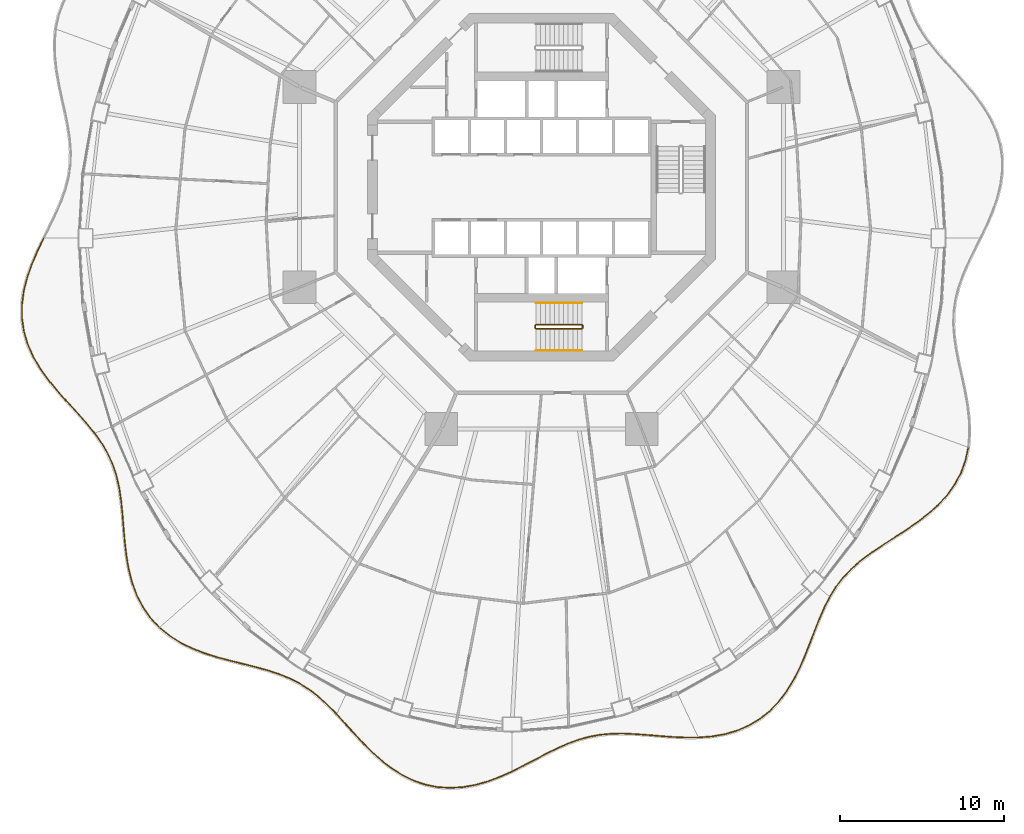
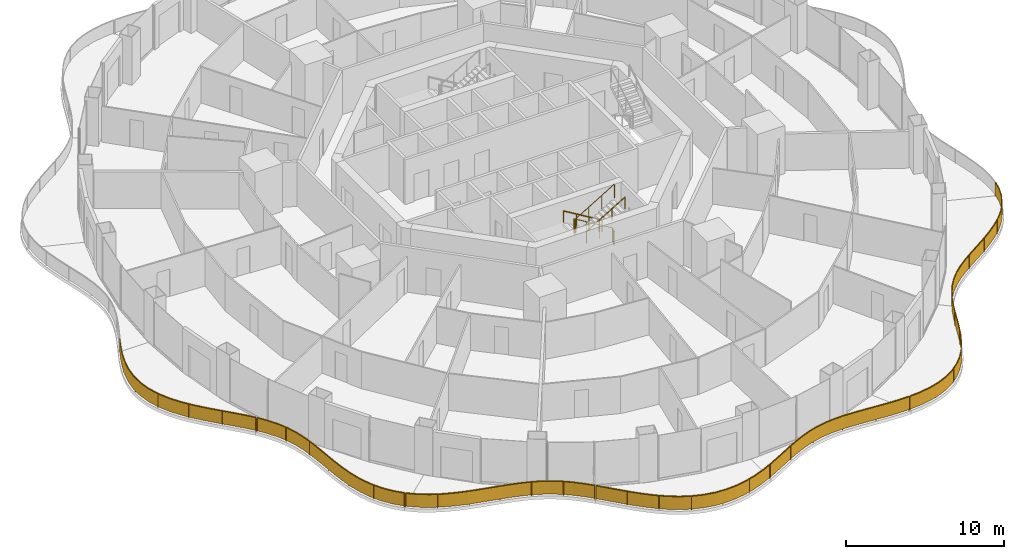
# One storey, part 18 of 20: 10 railings.
"""IFC4 building model written with IfcOpenShell, lengths in metres."""

from ifc_helpers import new_model, si_unit, direction, frame, origin, origin_2d, place, context, subcontext, project, spatial, polyline, rectangle, circle, outline, extrude, material, type_object, element, save


model = new_model("IFC4")

# Units and contexts
model_context = context("Model", 3, precision=1e-05, world=origin(), true_north=direction((0.0, 1.0)))
body_context = subcontext(model_context, "Body", "Model", "MODEL_VIEW")
ifc_project = project(units=[si_unit("LENGTHUNIT", "METRE"), si_unit("AREAUNIT", "SQUARE_METRE"), si_unit("VOLUMEUNIT", "CUBIC_METRE"), si_unit("PLANEANGLEUNIT", "RADIAN"), si_unit("MASSUNIT", "GRAM", prefix="KILO")], contexts=[model_context])

# Site, building, storey
site_placement = place(None, origin())
site = spatial("IfcSite", under=ifc_project, at=site_placement, CompositionType="ELEMENT")
building_placement = place(site_placement, origin())
building = spatial("IfcBuilding", under=site, at=building_placement, Name="Nagisa Residences", CompositionType="ELEMENT")
storey_placement = place(building_placement, frame((0.0, 0.0, 141.800048828125)))
storey = spatial("IfcBuildingStorey", under=building, at=storey_placement, Name="L35", CompositionType="ELEMENT", Elevation=141.800048828125)

# Railings
ifc_material_1 = material(Name="Stainless steel 316", Category="steel")
railing_type_1 = type_object("IfcRailingType", Name="BALCONY GUARD 1100", PredefinedType="BALUSTRADE", material=ifc_material_1)
railing_1_placement = place(storey_placement, frame((-30.425537109375, -3.15185546875, 0.0)))
element("IfcRailing", 1, at=railing_1_placement, inside=storey, type_object=railing_type_1, Name="guard:L35:bal08-0", PredefinedType="BALUSTRADE", context=body_context, shape_type="SweptSolid", body=[
    extrude(outline(polyline([(-0.33984375, -0.76171875), (0.0224609375, -0.010986328125), (-0.0224609375, 0.010986328125), (-0.38525390625, -0.74072265625), (-0.732666015625, -1.5498046875), (-1.021728515625, -2.3720703125), (-1.230224609375, -3.203125), (-1.33984375, -4.035888671875), (-1.33935546875, -4.849853515625), (-1.22021484375, -5.66455078125), (-0.985107421875, -6.459716796875), (-0.642333984375, -7.228759765625), (-0.2060546875, -7.968994140625), (0.30078125, -8.665283203125), (0.861328125, -9.346435546875), (1.447021484375, -10.00341796875), (2.03173828125, -10.642333984375), (2.592041015625, -11.27197265625), (3.080810546875, -11.868408203125), (3.119384765625, -11.836669921875), (2.630126953125, -11.2392578125), (2.06884765625, -10.608642578125), (1.484130859375, -9.9697265625), (0.8994140625, -9.313720703125), (0.34033203125, -8.634521484375), (-0.1640625, -7.941650390625), (-0.597900390625, -7.205810546875), (-0.938232421875, -6.442138671875), (-1.17138671875, -5.65380859375), (-1.28955078125, -4.846435546875), (-1.28955078125, -4.039306640625), (-1.180908203125, -3.21240234375), (-0.973876953125, -2.38671875), (-0.685791015625, -1.56787109375), (-0.33984375, -0.76171875)])), frame((0.0, 0.0, 1.050048828125)), (0.0, 0.0, 1.0), 0.050048828125),
    extrude(outline(polyline([(-0.356201171875, -0.754150390625), (0.00634765625, -0.0029296875), (-0.00634765625, 0.0029296875), (-0.368896484375, -0.748291015625), (-0.7158203125, -1.556396484375), (-1.00439453125, -2.37744140625), (-1.21240234375, -3.20654296875), (-1.32177734375, -4.037109375), (-1.321533203125, -4.8486328125), (-1.20263671875, -5.66064453125), (-0.96826171875, -6.453369140625), (-0.62646484375, -7.220458984375), (-0.19091796875, -7.959228515625), (0.31494140625, -8.654296875), (0.875, -9.334716796875), (1.46044921875, -9.9912109375), (2.045166015625, -10.630126953125), (2.605712890625, -11.26025390625), (3.0947265625, -11.85693359375), (3.10546875, -11.84814453125), (2.616455078125, -11.2509765625), (2.055419921875, -10.620849609375), (1.470703125, -9.98193359375), (0.8857421875, -9.325439453125), (0.326171875, -8.6455078125), (-0.17919921875, -7.951416015625), (-0.61376953125, -7.214111328125), (-0.955078125, -6.448486328125), (-1.18896484375, -5.65771484375), (-1.307373046875, -4.84765625), (-1.3076171875, -4.0380859375), (-1.19873046875, -3.208984375), (-0.9912109375, -2.38134765625), (-0.70263671875, -1.561279296875), (-0.356201171875, -0.754150390625)])), frame((0.0, 0.0, 0.06005859375)), (0.0, 0.0, 1.0), 0.989990234375),
    extrude(rectangle(XDim=0.0400390625, YDim=0.0400390625, at=origin_2d()), origin(), (0.0, 0.0, 1.0), 1.050048828125),
    extrude(rectangle(XDim=0.0400390625, YDim=0.0400390625, at=origin_2d()), frame((-0.888916015625, -2.069580078125, 0.0)), (0.0, 0.0, 1.0), 1.050048828125),
    extrude(rectangle(XDim=0.0400390625, YDim=0.0400390625, at=origin_2d()), frame((-1.314697265625, -4.2724609375, 0.0)), (0.0, 0.0, 1.0), 1.050048828125),
    extrude(rectangle(XDim=0.0400390625, YDim=0.0400390625, at=origin_2d()), frame((-0.947998046875, -6.4814453125, 0.0)), (0.0, 0.0, 1.0), 1.050048828125),
    extrude(rectangle(XDim=0.0400390625, YDim=0.0400390625, at=origin_2d()), frame((0.163330078125, -8.43408203125, 0.0)), (0.0, 0.0, 1.0), 1.050048828125),
    extrude(rectangle(XDim=0.0400390625, YDim=0.0400390625, at=origin_2d()), frame((1.61865234375, -10.154052734375, 0.0)), (0.0, 0.0, 1.0), 1.050048828125),
    extrude(rectangle(XDim=0.0400390625, YDim=0.0400390625, at=origin_2d()), frame((3.10009765625, -11.8525390625, 0.0)), (0.0, 0.0, 1.0), 1.050048828125),
])
railing_2_placement = place(storey_placement, frame((-27.27978515625, -15.060791015625, 0.0)))
element("IfcRailing", 2, at=railing_2_placement, inside=storey, type_object=railing_type_1, Name="guard:L35:bal09-0", PredefinedType="BALUSTRADE", context=body_context, shape_type="SweptSolid", body=[
    extrude(outline(polyline([(0.4375, -0.572998046875), (0.0205078125, 0.014404296875), (-0.0205078125, -0.014404296875), (0.3955078125, -0.600341796875), (0.76708984375, -1.23974609375), (1.066650390625, -1.90625), (1.296630859375, -2.605224609375), (1.46337890625, -3.3408203125), (1.572998046875, -4.099853515625), (1.6552734375, -4.905029296875), (1.72216796875, -5.7373046875), (1.794921875, -6.586669921875), (1.894775390625, -7.44091796875), (2.033203125, -8.27392578125), (2.244140625, -9.095947265625), (2.53271484375, -9.87890625), (2.908203125, -10.60986328125), (3.3740234375, -11.27685546875), (3.896484375, -11.835693359375), (3.93310546875, -11.801513671875), (3.4130859375, -11.2451171875), (2.951171875, -10.583984375), (2.57861328125, -9.85888671875), (2.2919921875, -9.080810546875), (2.08203125, -8.263671875), (1.944580078125, -7.43408203125), (1.8447265625, -6.581787109375), (1.77197265625, -5.7333984375), (1.705078125, -4.900634765625), (1.622802734375, -4.093505859375), (1.5126953125, -3.33154296875), (1.344970703125, -2.592041015625), (1.113525390625, -1.88818359375), (0.8115234375, -1.216796875), (0.4375, -0.572998046875)])), frame((0.0, 0.0, 1.050048828125)), (0.0, 0.0, 1.0), 0.050048828125),
    extrude(outline(polyline([(0.42236328125, -0.582763671875), (0.005615234375, 0.004150390625), (-0.005615234375, -0.004150390625), (0.41064453125, -0.590576171875), (0.782958984375, -1.2314453125), (1.08349609375, -1.899658203125), (1.31396484375, -2.6005859375), (1.481201171875, -3.33740234375), (1.591064453125, -4.09765625), (1.673095703125, -4.903564453125), (1.739990234375, -5.73583984375), (1.812744140625, -6.5849609375), (1.912841796875, -7.4384765625), (2.05078125, -8.270263671875), (2.261474609375, -9.090576171875), (2.54931640625, -9.871826171875), (2.923583984375, -10.6005859375), (3.38818359375, -11.265380859375), (3.90966796875, -11.823486328125), (3.919921875, -11.813720703125), (3.39892578125, -11.256591796875), (2.935791015625, -10.59326171875), (2.56201171875, -9.865966796875), (2.274658203125, -9.086181640625), (2.064453125, -8.267333984375), (1.926513671875, -7.4365234375), (1.826904296875, -6.58349609375), (1.754150390625, -5.73486328125), (1.687255859375, -4.902099609375), (1.604736328125, -4.095703125), (1.494873046875, -3.3349609375), (1.32763671875, -2.5966796875), (1.0966796875, -1.894775390625), (0.795654296875, -1.22509765625), (0.42236328125, -0.582763671875)])), frame((0.0, 0.0, 0.06005859375)), (0.0, 0.0, 1.0), 0.989990234375),
    extrude(rectangle(XDim=0.0400390625, YDim=0.0400390625, at=origin_2d()), origin(), (0.0, 0.0, 1.0), 1.050048828125),
    extrude(rectangle(XDim=0.0400390625, YDim=0.0400390625, at=origin_2d()), frame((1.059814453125, -1.829833984375, 0.0)), (0.0, 0.0, 1.0), 1.050048828125),
    extrude(rectangle(XDim=0.0400390625, YDim=0.0400390625, at=origin_2d()), frame((1.567138671875, -3.88330078125, 0.0)), (0.0, 0.0, 1.0), 1.050048828125),
    extrude(rectangle(XDim=0.0400390625, YDim=0.0400390625, at=origin_2d()), frame((1.769287109375, -5.994384765625, 0.0)), (0.0, 0.0, 1.0), 1.050048828125),
    extrude(rectangle(XDim=0.0400390625, YDim=0.0400390625, at=origin_2d()), frame((2.029296875, -8.0986328125, 0.0)), (0.0, 0.0, 1.0), 1.050048828125),
    extrude(rectangle(XDim=0.0400390625, YDim=0.0400390625, at=origin_2d()), frame((2.679443359375, -10.109619140625, 0.0)), (0.0, 0.0, 1.0), 1.050048828125),
    extrude(rectangle(XDim=0.0400390625, YDim=0.0400390625, at=origin_2d()), frame((3.914794921875, -11.818603515625, 0.0)), (0.0, 0.0, 1.0), 1.050048828125),
])
railing_3_placement = place(storey_placement, frame((-23.308349609375, -26.93212890625, 0.0)))
element("IfcRailing", 3, at=railing_3_placement, inside=storey, type_object=railing_type_1, Name="guard:L35:bal10-0", PredefinedType="BALUSTRADE", context=body_context, shape_type="SweptSolid", body=[
    extrude(outline(polyline([(0.582763671875, -0.442626953125), (0.015869140625, 0.019287109375), (-0.015869140625, -0.019287109375), (0.553466796875, -0.483154296875), (1.224853515625, -0.908203125), (1.94921875, -1.266845703125), (2.712890625, -1.56640625), (3.499755859375, -1.817138671875), (4.28271484375, -2.0224609375), (5.071044921875, -2.21826171875), (5.84033203125, -2.410400390625), (6.580322265625, -2.614990234375), (7.28466796875, -2.847412109375), (7.935302734375, -3.11083984375), (8.56103515625, -3.43408203125), (9.1513671875, -3.81396484375), (9.712646484375, -4.251953125), (10.253662109375, -4.74609375), (10.752197265625, -5.258056640625), (10.787841796875, -5.222900390625), (10.288330078125, -4.7099609375), (9.744873046875, -4.2138671875), (9.18017578125, -3.77294921875), (8.5859375, -3.390625), (7.956298828125, -3.0654296875), (7.3017578125, -2.800537109375), (6.594970703125, -2.567138671875), (5.85302734375, -2.362060546875), (5.083251953125, -2.169921875), (4.294921875, -1.97412109375), (3.513916015625, -1.769287109375), (2.7294921875, -1.51904296875), (1.9697265625, -1.220947265625), (1.249267578125, -0.86474609375), (0.582763671875, -0.442626953125)])), frame((0.0, 0.0, 1.050048828125)), (0.0, 0.0, 1.0), 0.050048828125),
    extrude(outline(polyline([(0.572265625, -0.457275390625), (0.00439453125, 0.00537109375), (-0.00439453125, -0.00537109375), (0.56396484375, -0.468505859375), (1.233642578125, -0.892578125), (1.95654296875, -1.250244140625), (2.71875, -1.54931640625), (3.5048828125, -1.800048828125), (4.287109375, -2.005126953125), (5.075439453125, -2.200927734375), (5.844970703125, -2.39306640625), (6.585693359375, -2.59765625), (7.290771484375, -2.83056640625), (7.94287109375, -3.094482421875), (8.570068359375, -3.41845703125), (9.16162109375, -3.799072265625), (9.72412109375, -4.23828125), (10.26611328125, -4.733154296875), (10.764892578125, -5.245361328125), (10.775146484375, -5.235595703125), (10.27587890625, -4.722900390625), (9.7333984375, -4.2275390625), (9.169921875, -3.787841796875), (8.576904296875, -3.40625), (7.94873046875, -3.081787109375), (7.295654296875, -2.8173828125), (6.589599609375, -2.58447265625), (5.848388671875, -2.37939453125), (5.078857421875, -2.187255859375), (4.29052734375, -1.991455078125), (3.5087890625, -1.786376953125), (2.7236328125, -1.5361328125), (1.96240234375, -1.237548828125), (1.240478515625, -0.88037109375), (0.572265625, -0.457275390625)])), frame((0.0, 0.0, 0.06005859375)), (0.0, 0.0, 1.0), 0.989990234375),
    extrude(rectangle(XDim=0.0400390625, YDim=0.0400390625, at=origin_2d()), origin(), (0.0, 0.0, 1.0), 1.050048828125),
    extrude(rectangle(XDim=0.0400390625, YDim=0.0400390625, at=origin_2d()), frame((1.689697265625, -1.1103515625, 0.0)), (0.0, 0.0, 1.0), 1.050048828125),
    extrude(rectangle(XDim=0.0400390625, YDim=0.0400390625, at=origin_2d()), frame((3.58984375, -1.81494140625, 0.0)), (0.0, 0.0, 1.0), 1.050048828125),
    extrude(rectangle(XDim=0.0400390625, YDim=0.0400390625, at=origin_2d()), frame((5.55712890625, -2.31396484375, 0.0)), (0.0, 0.0, 1.0), 1.050048828125),
    extrude(rectangle(XDim=0.0400390625, YDim=0.0400390625, at=origin_2d()), frame((7.49658203125, -2.90625, 0.0)), (0.0, 0.0, 1.0), 1.050048828125),
    extrude(rectangle(XDim=0.0400390625, YDim=0.0400390625, at=origin_2d()), frame((9.271484375, -3.8759765625, 0.0)), (0.0, 0.0, 1.0), 1.050048828125),
    extrude(rectangle(XDim=0.0400390625, YDim=0.0400390625, at=origin_2d()), frame((10.77001953125, -5.240478515625, 0.0)), (0.0, 0.0, 1.0), 1.050048828125),
])
railing_4_placement = place(storey_placement, frame((-12.489013671875, -32.22802734375, 0.0)))
element("IfcRailing", 4, at=railing_4_placement, inside=storey, type_object=railing_type_1, Name="guard:L35:bal11-0", PredefinedType="BALUSTRADE", context=body_context, shape_type="SweptSolid", body=[
    extrude(outline(polyline([(0.498779296875, -0.509765625), (0.0185546875, 0.016845703125), (-0.0185546875, -0.016845703125), (0.461669921875, -0.54345703125), (0.984130859375, -1.1220703125), (1.525146484375, -1.70458984375), (2.091796875, -2.273681640625), (2.689697265625, -2.810791015625), (3.304931640625, -3.29248046875), (3.9716796875, -3.712890625), (4.67138671875, -4.052734375), (5.3994140625, -4.301513671875), (6.15087890625, -4.45263671875), (6.90185546875, -4.501220703125), (7.6748046875, -4.45458984375), (8.449462890625, -4.318115234375), (9.217041015625, -4.1025390625), (9.971435546875, -3.822021484375), (10.66455078125, -3.510498046875), (10.64404296875, -3.465087890625), (9.952392578125, -3.775634765625), (9.201416015625, -4.0546875), (8.438232421875, -4.269287109375), (7.6689453125, -4.40478515625), (6.90185546875, -4.450927734375), (6.1572265625, -4.40283203125), (5.41259765625, -4.253173828125), (4.6904296875, -4.00634765625), (3.99609375, -3.6689453125), (3.333740234375, -3.25146484375), (2.721923828125, -2.772216796875), (2.12646484375, -2.237548828125), (1.561279296875, -1.669921875), (1.021240234375, -1.08837890625), (0.498779296875, -0.509765625)])), frame((0.0, 0.0, 1.050048828125)), (0.0, 0.0, 1.0), 0.050048828125),
    extrude(outline(polyline([(0.4853515625, -0.52197265625), (0.005126953125, 0.004638671875), (-0.005126953125, -0.004638671875), (0.47509765625, -0.53125), (0.99755859375, -1.10986328125), (1.5380859375, -1.692138671875), (2.104248046875, -2.2607421875), (2.701416015625, -2.796875), (3.315185546875, -3.277587890625), (3.98046875, -3.697021484375), (4.67822265625, -4.0361328125), (5.404296875, -4.2841796875), (6.153076171875, -4.4345703125), (6.90185546875, -4.483154296875), (7.672607421875, -4.436767578125), (8.4453125, -4.300537109375), (9.21142578125, -4.085205078125), (9.964599609375, -3.805419921875), (10.6572265625, -3.494140625), (10.6513671875, -3.4814453125), (9.959228515625, -3.792236328125), (9.20703125, -4.072021484375), (8.4423828125, -4.286865234375), (7.671142578125, -4.422607421875), (6.90185546875, -4.468994140625), (6.155029296875, -4.4208984375), (5.40771484375, -4.2705078125), (4.68359375, -4.02294921875), (3.9873046875, -3.684814453125), (3.323486328125, -3.266357421875), (2.710205078125, -2.7861328125), (2.114013671875, -2.25048828125), (1.54833984375, -1.682373046875), (1.0078125, -1.1005859375), (0.4853515625, -0.52197265625)])), frame((0.0, 0.0, 0.06005859375)), (0.0, 0.0, 1.0), 0.989990234375),
    extrude(rectangle(XDim=0.0400390625, YDim=0.0400390625, at=origin_2d()), origin(), (0.0, 0.0, 1.0), 1.050048828125),
    extrude(rectangle(XDim=0.0400390625, YDim=0.0400390625, at=origin_2d()), frame((1.39599609375, -1.52880859375, 0.0)), (0.0, 0.0, 1.0), 1.050048828125),
    extrude(rectangle(XDim=0.0400390625, YDim=0.0400390625, at=origin_2d()), frame((2.902587890625, -2.945556640625, 0.0)), (0.0, 0.0, 1.0), 1.050048828125),
    extrude(rectangle(XDim=0.0400390625, YDim=0.0400390625, at=origin_2d()), frame((4.6630859375, -4.02099609375, 0.0)), (0.0, 0.0, 1.0), 1.050048828125),
    extrude(rectangle(XDim=0.0400390625, YDim=0.0400390625, at=origin_2d()), frame((6.67431640625, -4.46142578125, 0.0)), (0.0, 0.0, 1.0), 1.050048828125),
    extrude(rectangle(XDim=0.0400390625, YDim=0.0400390625, at=origin_2d()), frame((8.719970703125, -4.216064453125, 0.0)), (0.0, 0.0, 1.0), 1.050048828125),
    extrude(rectangle(XDim=0.0400390625, YDim=0.0400390625, at=origin_2d()), frame((10.654296875, -3.48779296875, 0.0)), (0.0, 0.0, 1.0), 1.050048828125),
])
railing_5_placement = place(storey_placement, frame((-1.765869140625, -35.681640625, 0.0)))
element("IfcRailing", 5, at=railing_5_placement, inside=storey, type_object=railing_type_1, Name="guard:L35:bal12-0", PredefinedType="BALUSTRADE", context=body_context, shape_type="SweptSolid", body=[
    extrude(outline(polyline([(0.662109375, 0.35986328125), (-0.01123046875, 0.0224609375), (0.01123046875, -0.0224609375), (0.68505859375, 0.3154296875), (1.382568359375, 0.680908203125), (2.06201171875, 1.037353515625), (2.726806640625, 1.367431640625), (3.382568359375, 1.6572265625), (4.017578125, 1.8935546875), (4.673828125, 2.0751953125), (5.340576171875, 2.197021484375), (6.024169921875, 2.26171875), (6.728515625, 2.275390625), (7.439697265625, 2.243896484375), (8.19140625, 2.1904296875), (8.965087890625, 2.125732421875), (9.75537109375, 2.067138671875), (10.55615234375, 2.0322265625), (11.310791015625, 2.03515625), (11.310791015625, 2.0849609375), (10.55712890625, 2.08251953125), (9.75830078125, 2.116943359375), (8.968994140625, 2.175537109375), (8.1953125, 2.240234375), (7.442626953125, 2.293701171875), (6.72900390625, 2.32568359375), (6.021240234375, 2.3115234375), (5.333740234375, 2.246826171875), (4.66259765625, 2.1240234375), (4.001953125, 1.94140625), (3.363525390625, 1.70361328125), (2.705322265625, 1.412841796875), (2.0390625, 1.081787109375), (1.359130859375, 0.725341796875), (0.662109375, 0.35986328125)])), frame((0.0, 0.0, 1.050048828125)), (0.0, 0.0, 1.0), 0.050048828125),
    extrude(outline(polyline([(0.67041015625, 0.343994140625), (-0.003173828125, 0.00634765625), (0.003173828125, -0.00634765625), (0.6767578125, 0.331298828125), (1.3740234375, 0.697021484375), (2.0537109375, 1.05322265625), (2.718994140625, 1.3837890625), (3.375732421875, 1.673828125), (4.011962890625, 1.910888671875), (4.669677734375, 2.0927734375), (5.338134765625, 2.215087890625), (6.023193359375, 2.279541015625), (6.728759765625, 2.29345703125), (7.440673828125, 2.26171875), (8.19287109375, 2.208251953125), (8.966552734375, 2.1435546875), (9.75634765625, 2.0849609375), (10.556396484375, 2.05029296875), (11.310791015625, 2.052978515625), (11.310791015625, 2.067138671875), (10.556884765625, 2.064453125), (9.75732421875, 2.09912109375), (8.967529296875, 2.15771484375), (8.19384765625, 2.222412109375), (7.441650390625, 2.27587890625), (6.728759765625, 2.3076171875), (6.022216796875, 2.293701171875), (5.336181640625, 2.228759765625), (4.666748046875, 2.1064453125), (4.007568359375, 1.924072265625), (3.370361328125, 1.68701171875), (2.713134765625, 1.396484375), (2.04736328125, 1.06591796875), (1.36767578125, 0.709228515625), (0.67041015625, 0.343994140625)])), frame((0.0, 0.0, 0.06005859375)), (0.0, 0.0, 1.0), 0.989990234375),
    extrude(rectangle(XDim=0.0400390625, YDim=0.0400390625, at=origin_2d()), origin(), (0.0, 0.0, 1.0), 1.050048828125),
    extrude(rectangle(XDim=0.0400390625, YDim=0.0400390625, at=origin_2d()), frame((2.096435546875, 1.082275390625, 0.0)), (0.0, 0.0, 1.0), 1.050048828125),
    extrude(rectangle(XDim=0.0400390625, YDim=0.0400390625, at=origin_2d()), frame((4.27001953125, 1.989501953125, 0.0)), (0.0, 0.0, 1.0), 1.050048828125),
    extrude(rectangle(XDim=0.0400390625, YDim=0.0400390625, at=origin_2d()), frame((6.60009765625, 2.298095703125, 0.0)), (0.0, 0.0, 1.0), 1.050048828125),
    extrude(rectangle(XDim=0.0400390625, YDim=0.0400390625, at=origin_2d()), frame((8.954345703125, 2.151611328125, 0.0)), (0.0, 0.0, 1.0), 1.050048828125),
    extrude(rectangle(XDim=0.0400390625, YDim=0.0400390625, at=origin_2d()), frame((11.310791015625, 2.06005859375, 0.0)), (0.0, 0.0, 1.0), 1.050048828125),
])
railing_6_placement = place(storey_placement, frame((9.6220703125, -33.619384765625, 0.0)))
element("IfcRailing", 6, at=railing_6_placement, inside=storey, type_object=railing_type_1, Name="guard:L35:bal13-0", PredefinedType="BALUSTRADE", context=body_context, shape_type="SweptSolid", body=[
    extrude(outline(polyline([(0.772216796875, 0.08349609375), (-0.001953125, 0.02490234375), (0.001953125, -0.02490234375), (0.778564453125, 0.03369140625), (1.5810546875, 0.1728515625), (2.35107421875, 0.396484375), (3.076904296875, 0.710693359375), (3.74755859375, 1.114990234375), (4.3486328125, 1.600341796875), (4.89794921875, 2.174072265625), (5.3837890625, 2.81689453125), (5.81005859375, 3.51416015625), (6.18359375, 4.25), (6.5029296875, 4.996337890625), (6.80517578125, 5.7578125), (7.092529296875, 6.508544921875), (7.380615234375, 7.234375), (7.6845703125, 7.92529296875), (7.99755859375, 8.536376953125), (7.953125, 8.559326171875), (7.63916015625, 7.94677734375), (7.334228515625, 7.25390625), (7.045654296875, 6.526611328125), (6.75830078125, 5.77587890625), (6.45654296875, 5.015380859375), (6.13818359375, 4.27099609375), (5.76611328125, 3.53857421875), (5.34228515625, 2.84521484375), (4.85986328125, 2.206787109375), (4.314453125, 1.637451171875), (3.71875, 1.156005859375), (3.053955078125, 0.755126953125), (2.333984375, 0.44384765625), (1.56982421875, 0.2216796875), (0.772216796875, 0.08349609375)])), frame((0.0, 0.0, 1.050048828125)), (0.0, 0.0, 1.0), 0.050048828125),
    extrude(outline(polyline([(0.7744140625, 0.0654296875), (-0.00048828125, 0.007080078125), (0.00048828125, -0.007080078125), (0.7763671875, 0.0517578125), (1.576904296875, 0.1904296875), (2.344970703125, 0.41357421875), (3.068603515625, 0.7265625), (3.737060546875, 1.129638671875), (4.336181640625, 1.61376953125), (4.88427734375, 2.185791015625), (5.368896484375, 2.8271484375), (5.794189453125, 3.52294921875), (6.167236328125, 4.257568359375), (6.486328125, 5.003173828125), (6.788330078125, 5.764404296875), (7.07568359375, 6.51513671875), (7.36376953125, 7.241455078125), (7.668212890625, 7.93310546875), (7.981689453125, 8.544677734375), (7.968994140625, 8.551025390625), (7.655517578125, 7.93896484375), (7.35107421875, 7.246826171875), (7.0625, 6.52001953125), (6.775146484375, 5.769287109375), (6.47314453125, 5.008544921875), (6.154541015625, 4.263427734375), (5.781982421875, 3.52978515625), (5.357177734375, 2.8349609375), (4.87353515625, 2.195068359375), (4.326904296875, 1.6240234375), (3.729248046875, 1.141357421875), (3.062255859375, 0.7392578125), (2.340087890625, 0.4267578125), (1.573974609375, 0.2041015625), (0.7744140625, 0.0654296875)])), frame((0.0, 0.0, 0.06005859375)), (0.0, 0.0, 1.0), 0.989990234375),
    extrude(rectangle(XDim=0.0400390625, YDim=0.0400390625, at=origin_2d()), origin(), (0.0, 0.0, 1.0), 1.050048828125),
    extrude(rectangle(XDim=0.0400390625, YDim=0.0400390625, at=origin_2d()), frame((2.068115234375, 0.34033203125, 0.0)), (0.0, 0.0, 1.0), 1.050048828125),
    extrude(rectangle(XDim=0.0400390625, YDim=0.0400390625, at=origin_2d()), frame((3.92724609375, 1.292236328125, 0.0)), (0.0, 0.0, 1.0), 1.050048828125),
    extrude(rectangle(XDim=0.0400390625, YDim=0.0400390625, at=origin_2d()), frame((5.356201171875, 2.822021484375, 0.0)), (0.0, 0.0, 1.0), 1.050048828125),
    extrude(rectangle(XDim=0.0400390625, YDim=0.0400390625, at=origin_2d()), frame((6.339111328125, 4.677001953125, 0.0)), (0.0, 0.0, 1.0), 1.050048828125),
    extrude(rectangle(XDim=0.0400390625, YDim=0.0400390625, at=origin_2d()), frame((7.1142578125, 6.63134765625, 0.0)), (0.0, 0.0, 1.0), 1.050048828125),
    extrude(rectangle(XDim=0.0400390625, YDim=0.0400390625, at=origin_2d()), frame((7.975341796875, 8.5478515625, 0.0)), (0.0, 0.0, 1.0), 1.050048828125),
])
railing_7_placement = place(storey_placement, frame((17.630615234375, -25.00927734375, 0.0)))
element("IfcRailing", 7, at=railing_7_placement, inside=storey, type_object=railing_type_1, Name="guard:L35:bal14-0", PredefinedType="BALUSTRADE", context=body_context, shape_type="SweptSolid", body=[
    extrude(outline(polyline([(0.351318359375, 0.610595703125), (-0.021240234375, 0.01318359375), (0.021240234375, -0.01318359375), (0.392333984375, 0.581787109375), (0.841064453125, 1.161376953125), (1.349853515625, 1.695068359375), (1.9189453125, 2.190185546875), (2.5439453125, 2.657958984375), (3.205810546875, 3.098388671875), (3.90771484375, 3.550048828125), (4.6220703125, 4.013671875), (5.328857421875, 4.501708984375), (6.0068359375, 5.025146484375), (6.6279296875, 5.578369140625), (7.186279296875, 6.193115234375), (7.658935546875, 6.85693359375), (8.034423828125, 7.569091796875), (8.30615234375, 8.324462890625), (8.46240234375, 9.06982421875), (8.41357421875, 9.080078125), (8.2578125, 8.338134765625), (7.988525390625, 7.589111328125), (7.616455078125, 6.88330078125), (7.147216796875, 6.224365234375), (6.5927734375, 5.614013671875), (5.97509765625, 5.063720703125), (5.299560546875, 4.542236328125), (4.59423828125, 4.05517578125), (3.88037109375, 3.592041015625), (3.178466796875, 3.140380859375), (2.51513671875, 2.698974609375), (1.8876953125, 2.229248046875), (1.315185546875, 1.731201171875), (0.802978515625, 1.194091796875), (0.351318359375, 0.610595703125)])), frame((0.0, 0.0, 1.050048828125)), (0.0, 0.0, 1.0), 0.050048828125),
    extrude(outline(polyline([(0.365966796875, 0.60009765625), (-0.005859375, 0.003662109375), (0.005859375, -0.003662109375), (0.377685546875, 0.59228515625), (0.827392578125, 1.173095703125), (1.33740234375, 1.7080078125), (1.90771484375, 2.204345703125), (2.53369140625, 2.6728515625), (3.196044921875, 3.113525390625), (3.89794921875, 3.565185546875), (4.612060546875, 4.028564453125), (5.318359375, 4.516357421875), (5.995361328125, 5.0390625), (6.615234375, 5.59130859375), (7.172119140625, 6.204345703125), (7.6435546875, 6.866455078125), (8.017822265625, 7.576171875), (8.288818359375, 8.329345703125), (8.44482421875, 9.073486328125), (8.43115234375, 9.076416015625), (8.275146484375, 8.333251953125), (8.005126953125, 7.58203125), (7.6318359375, 6.873779296875), (7.161376953125, 6.213134765625), (6.60546875, 5.60107421875), (5.986572265625, 5.0498046875), (5.31005859375, 4.527587890625), (4.604248046875, 4.040283203125), (3.89013671875, 3.576904296875), (3.188232421875, 3.125244140625), (2.525390625, 2.68408203125), (1.89892578125, 2.215087890625), (1.32763671875, 1.71826171875), (0.816650390625, 1.182373046875), (0.365966796875, 0.60009765625)])), frame((0.0, 0.0, 0.06005859375)), (0.0, 0.0, 1.0), 0.989990234375),
    extrude(rectangle(XDim=0.0400390625, YDim=0.0400390625, at=origin_2d()), origin(), (0.0, 0.0, 1.0), 1.050048828125),
    extrude(rectangle(XDim=0.0400390625, YDim=0.0400390625, at=origin_2d()), frame((1.294921875, 1.673828125, 0.0)), (0.0, 0.0, 1.0), 1.050048828125),
    extrude(rectangle(XDim=0.0400390625, YDim=0.0400390625, at=origin_2d()), frame((2.97119140625, 2.972412109375, 0.0)), (0.0, 0.0, 1.0), 1.050048828125),
    extrude(rectangle(XDim=0.0400390625, YDim=0.0400390625, at=origin_2d()), frame((4.749755859375, 4.132080078125, 0.0)), (0.0, 0.0, 1.0), 1.050048828125),
    extrude(rectangle(XDim=0.0400390625, YDim=0.0400390625, at=origin_2d()), frame((6.426025390625, 5.431884765625, 0.0)), (0.0, 0.0, 1.0), 1.050048828125),
    extrude(rectangle(XDim=0.0400390625, YDim=0.0400390625, at=origin_2d()), frame((7.748291015625, 7.079833984375, 0.0)), (0.0, 0.0, 1.0), 1.050048828125),
    extrude(rectangle(XDim=0.0400390625, YDim=0.0400390625, at=origin_2d()), frame((8.43798828125, 9.074951171875, 0.0)), (0.0, 0.0, 1.0), 1.050048828125),
])
ifc_material_2 = material(Name="Stainless steel", Category="steel")
railing_type_2 = type_object("IfcRailingType", Name="Stair guard 1100", PredefinedType="GUARDRAIL", material=ifc_material_2)
railing_8_placement = place(storey_placement, frame((2.52490234375, -8.599609375, 0.0)))
element("IfcRailing", 8, at=railing_8_placement, inside=storey, type_object=railing_type_2, Name="L35 ST-S stair guard 1", PredefinedType="GUARDRAIL", context=body_context, shape_type="SweptSolid", body=[
    extrude(circle(Radius=0.02392578125, at=origin_2d()), frame((0.0, 0.0, 1.076171875), z_axis=(0.0, 1.0, 0.0), x_axis=(-1.0, 0.0, 0.0)), (0.0, 0.0, 1.0), 0.14990234375),
    extrude(circle(Radius=0.02392578125, at=origin_2d()), frame((0.0, 0.14990234375, 1.076171875), z_axis=(-0.273006030465, 0.27434429532, 0.922064485248), x_axis=(-0.708833529934, -0.705375805398, 0.0)), (0.0, 0.0, 1.0), 0.182373046875),
    extrude(circle(Radius=0.02392578125, at=origin_2d()), frame((-0.0498046875, 0.199951171875, 1.244140625), z_axis=(-0.857275202839, 0.0, 0.514858452973), x_axis=(0.0, -1.0, 0.0)), (0.0, 0.0, 1.0), 3.26611328125),
    extrude(circle(Radius=0.02392578125, at=origin_2d()), frame((-2.849853515625, 0.199951171875, 2.92578125), z_axis=(-0.707106781187, -0.707106781187, 0.0), x_axis=(0.707106781187, -0.707106781187, 0.0)), (0.0, 0.0, 1.0), 0.07080078125),
    extrude(circle(Radius=0.02392578125, at=origin_2d()), frame((-2.89990234375, 0.14990234375, 2.92578125), z_axis=(0.0, -1.0, 0.0), x_axis=(1.0, 0.0, 0.0)), (0.0, 0.0, 1.0), 0.14990234375),
    extrude(circle(Radius=0.02392578125, at=origin_2d()), frame((-2.89990234375, 0.0, 2.92578125), z_axis=(0.274243871929, -0.274243871929, 0.92172696468), x_axis=(0.707106781187, 0.707106781187, 0.0)), (0.0, 0.0, 1.0), 0.1826171875),
    extrude(circle(Radius=0.02392578125, at=origin_2d()), frame((-2.849853515625, -0.050048828125, 3.09423828125), z_axis=(0.857242210791, 0.0, 0.514913383045), x_axis=(0.0, 1.0, 0.0)), (0.0, 0.0, 1.0), 3.266357421875),
    extrude(circle(Radius=0.02099609375, at=origin_2d()), origin(), (0.0, 0.0, 1.0), 1.052001953125),
    extrude(circle(Radius=0.02099609375, at=origin_2d()), frame((0.0, 0.14990234375, 0.0)), (0.0, 0.0, 1.0), 1.052001953125),
    extrude(circle(Radius=0.02099609375, at=origin_2d()), frame((-0.0498046875, 0.199951171875, 0.168212890625)), (0.0, 0.0, 1.0), 1.052001953125),
    extrude(circle(Radius=0.02099609375, at=origin_2d()), frame((-0.983154296875, 0.199951171875, 0.728759765625)), (0.0, 0.0, 1.0), 1.052001953125),
    extrude(circle(Radius=0.02099609375, at=origin_2d()), frame((-1.91650390625, 0.199951171875, 1.289306640625)), (0.0, 0.0, 1.0), 1.052001953125),
    extrude(circle(Radius=0.02099609375, at=origin_2d()), frame((-2.849853515625, 0.199951171875, 1.849853515625)), (0.0, 0.0, 1.0), 1.052001953125),
    extrude(circle(Radius=0.02099609375, at=origin_2d()), frame((-2.89990234375, 0.14990234375, 1.849853515625)), (0.0, 0.0, 1.0), 1.052001953125),
    extrude(circle(Radius=0.02099609375, at=origin_2d()), frame((-2.89990234375, 0.0, 1.849853515625)), (0.0, 0.0, 1.0), 1.052001953125),
    extrude(circle(Radius=0.02099609375, at=origin_2d()), frame((-2.849853515625, -0.050048828125, 2.01806640625)), (0.0, 0.0, 1.0), 1.052001953125),
    extrude(circle(Radius=0.02099609375, at=origin_2d()), frame((-1.91650390625, -0.050048828125, 2.57861328125)), (0.0, 0.0, 1.0), 1.052001953125),
    extrude(circle(Radius=0.02099609375, at=origin_2d()), frame((-0.983154296875, -0.050048828125, 3.139404296875)), (0.0, 0.0, 1.0), 1.052001953125),
    extrude(circle(Radius=0.02099609375, at=origin_2d()), frame((-0.0498046875, -0.050048828125, 3.699951171875)), (0.0, 0.0, 1.0), 1.052001953125),
])
ifc_material_3 = material(Name="Stainless steel", Category="steel")
railing_type_3 = type_object("IfcRailingType", Name="Stair handrail 900", PredefinedType="HANDRAIL", material=ifc_material_3)
railing_9_placement = place(storey_placement, frame((2.47509765625, -7.07470703125, 0.168212890625)))
element("IfcRailing", 9, at=railing_9_placement, inside=storey, type_object=railing_type_3, Name="L35 ST-S stair handrail 1", PredefinedType="HANDRAIL", context=body_context, shape_type="SweptSolid", body=[
    extrude(circle(Radius=0.02392578125, at=origin_2d()), frame((0.0, 0.0, 0.8759765625), z_axis=(-0.857275202839, 0.0, 0.514858452973), x_axis=(0.0, -1.0, 0.0)), (0.0, 0.0, 1.0), 3.26611328125),
    extrude(circle(Radius=0.02099609375, at=origin_2d()), origin(), (0.0, 0.0, 1.0), 0.851806640625),
    extrude(circle(Radius=0.02099609375, at=origin_2d()), frame((-0.933349609375, 0.0, 0.560546875)), (0.0, 0.0, 1.0), 0.851806640625),
    extrude(circle(Radius=0.02099609375, at=origin_2d()), frame((-1.86669921875, 0.0, 1.12109375)), (0.0, 0.0, 1.0), 0.851806640625),
    extrude(circle(Radius=0.02099609375, at=origin_2d()), frame((-2.800048828125, 0.0, 1.681640625)), (0.0, 0.0, 1.0), 0.851806640625),
])
railing_10_placement = place(storey_placement, frame((-0.324951171875, -9.974609375, 2.01806640625)))
element("IfcRailing", 10, at=railing_10_placement, inside=storey, type_object=railing_type_3, Name="L35 ST-S stair handrail 2", PredefinedType="HANDRAIL", context=body_context, shape_type="SweptSolid", body=[
    extrude(circle(Radius=0.02392578125, at=origin_2d()), frame((0.0, 0.0, 0.8759765625), z_axis=(0.857242210791, 0.0, 0.514913383045), x_axis=(0.0, 1.0, 0.0)), (0.0, 0.0, 1.0), 3.266357421875),
    extrude(circle(Radius=0.02099609375, at=origin_2d()), origin(), (0.0, 0.0, 1.0), 0.851806640625),
    extrude(circle(Radius=0.02099609375, at=origin_2d()), frame((0.933349609375, 0.0, 0.560546875)), (0.0, 0.0, 1.0), 0.851806640625),
    extrude(circle(Radius=0.02099609375, at=origin_2d()), frame((1.86669921875, 0.0, 1.121337890625)), (0.0, 0.0, 1.0), 0.851806640625),
    extrude(circle(Radius=0.02099609375, at=origin_2d()), frame((2.800048828125, 0.0, 1.681884765625)), (0.0, 0.0, 1.0), 0.851806640625),
])

save(model, "model.ifc")
